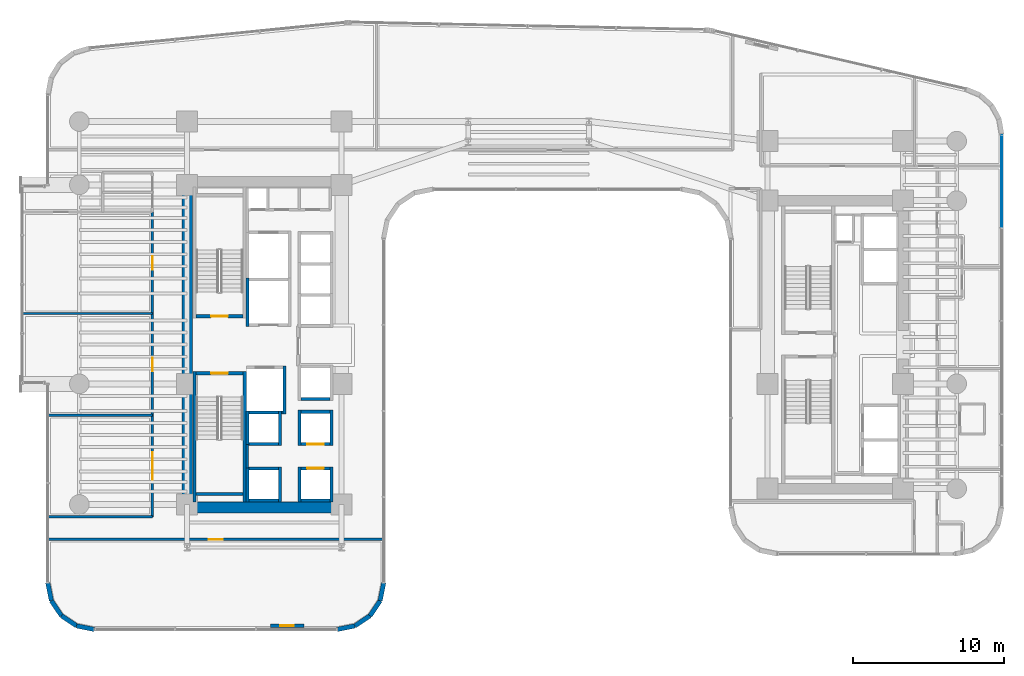
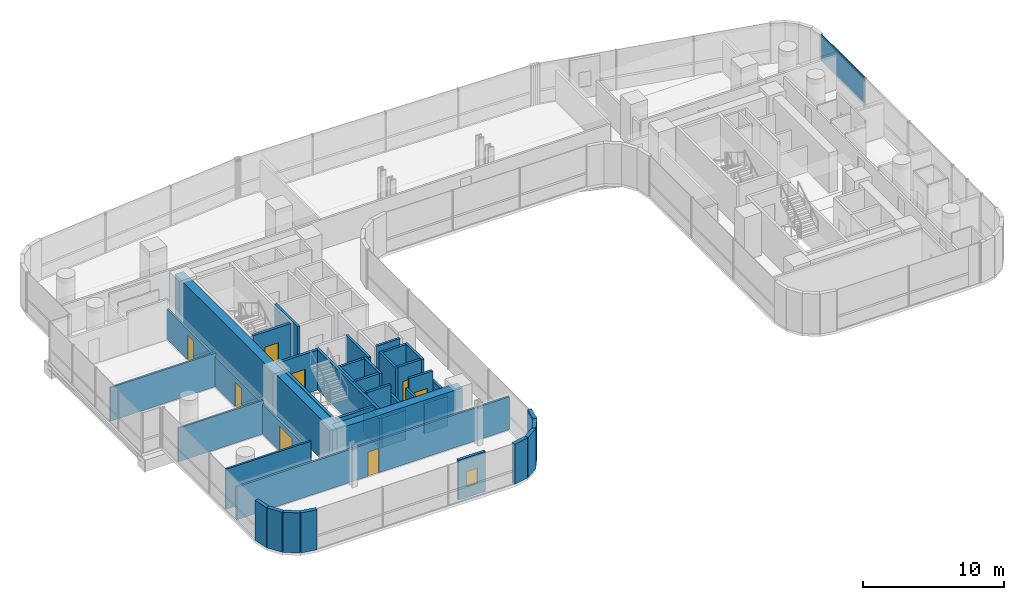
# One storey, part 29 of 39: 41 walls, 8 doors, 1 plate, 1 window, 9 openings, 1 element without a shape of its own.
"""IFC4 building model written with IfcOpenShell, lengths in metres."""

from ifc_helpers import new_model, si_unit, direction, frame, frame_2d, origin, origin_2d, place, context, subcontext, project, spatial, rectangle, extrude, source, transform, mapped, material, layer, layer_set, type_object, element, fill, aggregate, save


model = new_model("IFC4")

# Units and contexts
model_context = context("Model", 3, precision=1e-05, world=origin(), true_north=direction((0.0, 1.0)))
body_context = subcontext(model_context, "Body", "Model", "MODEL_VIEW")
ifc_project = project(units=[si_unit("LENGTHUNIT", "METRE"), si_unit("AREAUNIT", "SQUARE_METRE"), si_unit("VOLUMEUNIT", "CUBIC_METRE"), si_unit("PLANEANGLEUNIT", "RADIAN"), si_unit("MASSUNIT", "GRAM", prefix="KILO")], contexts=[model_context])

# Site, building, storey
site_placement = place(None, origin())
site = spatial("IfcSite", under=ifc_project, at=site_placement, CompositionType="ELEMENT")
building_placement = place(site_placement, origin())
building = spatial("IfcBuilding", under=site, at=building_placement, Name="Valdorenza Pilgrim Sanctuary Tower", CompositionType="ELEMENT")
storey_placement = place(building_placement, frame((0.0, 0.0, 70.39990234375)))
storey = spatial("IfcBuildingStorey", under=building, at=storey_placement, Name="L17", CompositionType="ELEMENT", Elevation=70.39990234375)

# Curtain wall, plate
ifc_material_1 = material(Name="Curtain-wall IGU glazing", Category="glass")
curtain_wall_type = type_object("IfcCurtainWallType", Name="CW-SYS-03", PredefinedType="NOTDEFINED", material=ifc_material_1)
curtain_wall_placement = place(storey_placement, origin())
curtain_wall = element("IfcCurtainWall", 1, at=curtain_wall_placement, inside=storey, type_object=curtain_wall_type, Name="L17 Curtain Wall CW-L17-1-21", PredefinedType="NOTDEFINED")
ifc_material_2 = material(Name="Ceramic-fritted low-E IGU glazing", Category="glass")
ifc_layer_1 = layer(ifc_material_2, 0.035888671875, Name="Ceramic-fritted low-E IGU glazing")
ifc_layer_set_1 = layer_set([ifc_layer_1], Name="Ceramic-fritted low-E IGU glazing")
plate_type = type_object("IfcPlateType", Name="CW-GLZ-IGU", PredefinedType="USERDEFINED", material=ifc_layer_set_1)
shared_shape = source(origin(), body_context, "Body", "SweptSolid", [
    extrude(rectangle(XDim=6.16357421875, YDim=0.050048828125, at=origin_2d()), origin(), (0.0, 0.0, 1.0), 2.320068359375),
])
plate_placement = place(storey_placement, frame((31.389892578125, 10.853271484375, 1.1298828125), z_axis=(0.0, 0.0, 1.0), x_axis=(0.0, -1.0, 0.0)))
plate = element("IfcPlate", 2, at=plate_placement, type_object=plate_type, Name="CW-L17-1-21 Facade Panel 1", ObjectType="GLAZING", PredefinedType="USERDEFINED", context=body_context, shape_type="MappedRepresentation", body=[
    mapped(shared_shape, transform((0.0, 0.0, 0.0), x_axis=(1.0, 0.0, 0.0), y_axis=(0.0, 1.0, 0.0), z_axis=(0.0, 0.0, 1.0), scale=1.0)),
])
aggregate(curtain_wall, [plate])

# Wall
ifc_material_3 = material(Name="Acoustic twin-stud gypsum partition", Category="gypsum")
ifc_layer_2 = layer(ifc_material_3, 0.159912109375, Name="Acoustic twin-stud gypsum partition")
ifc_layer_set_2 = layer_set([ifc_layer_2], Name="Acoustic twin-stud gypsum partition")
wall_type_1 = type_object("IfcWallType", Name="WAL-COR-160", PredefinedType="PARTITIONING", material=ifc_layer_set_2)
wall_1_placement = place(storey_placement, frame((-18.64990234375, -8.179931640625, 0.0), z_axis=(0.0, 0.0, 1.0), x_axis=(0.0, 1.0, 0.0)))
element("IfcWall", 3, at=wall_1_placement, inside=storey, type_object=wall_type_1, Name="L17 Core A South Lift Hall West Wall", PredefinedType="PARTITIONING", context=body_context, shape_type="SweptSolid", body=[
    extrude(rectangle(XDim=1.559814453125, YDim=0.159912109375, at=frame_2d((0.77978515625, 0.0))), origin(), (0.0, 0.0, 1.0), 3.460205078125),
])

# Wall, openings, doors
wall_2_placement = place(storey_placement, frame((-24.949951171875, -11.419921875, 0.0), z_axis=(0.0, 0.0, 1.0), x_axis=(0.0, 1.0, 0.0)))
wall_2 = element("IfcWall", 4, at=wall_2_placement, inside=storey, type_object=wall_type_1, Name="L17 West Wing Corridor Wall", PredefinedType="PARTITIONING", context=body_context, shape_type="SweptSolid", body=[
    extrude(rectangle(XDim=20.219970703125, YDim=0.159912109375, at=frame_2d((10.10986328125, 0.0))), origin(), (0.0, 0.0, 1.0), 2.5830078125),
])
opening_1_placement = place(wall_2_placement, frame((2.469970703125, 0.0, 0.0)))
opening_1 = element("IfcOpeningElement", 5, at=opening_1_placement, cuts=wall_2, Name="Opening DR-HL1", PredefinedType="OPENING", context=body_context, shape_type="SweptSolid", body=[
    extrude(rectangle(XDim=1.800048828125, YDim=2.14990234375, at=frame_2d((0.89990234375, 1.074951171875))), frame((0.0, 0.0947265625, 0.0), z_axis=(0.0, -1.0, 0.0), x_axis=(1.0, 0.0, 0.0)), (0.0, 0.0, 1.0), 0.189697265625),
])
opening_2_placement = place(wall_2_placement, frame((9.659912109375, 0.0, 0.0)))
opening_2 = element("IfcOpeningElement", 6, at=opening_2_placement, cuts=wall_2, Name="Opening DR-RM1", PredefinedType="OPENING", context=body_context, shape_type="SweptSolid", body=[
    extrude(rectangle(XDim=0.89990234375, YDim=2.10009765625, at=frame_2d((0.449951171875, 1.050048828125))), frame((0.0, 0.0947265625, 0.0), z_axis=(0.0, -1.0, 0.0), x_axis=(1.0, 0.0, 0.0)), (0.0, 0.0, 1.0), 0.189697265625),
])
opening_3_placement = place(wall_2_placement, frame((16.39990234375, 0.0, 0.0)))
opening_3 = element("IfcOpeningElement", 7, at=opening_3_placement, cuts=wall_2, Name="Opening DR-RM1", PredefinedType="OPENING", context=body_context, shape_type="SweptSolid", body=[
    extrude(rectangle(XDim=0.89990234375, YDim=2.10009765625, at=frame_2d((0.449951171875, 1.050048828125))), frame((0.0, 0.0947265625, 0.0), z_axis=(0.0, -1.0, 0.0), x_axis=(1.0, 0.0, 0.0)), (0.0, 0.0, 1.0), 0.189697265625),
])
ifc_material_4 = material(Name="Acoustic oak and vision-glass double door", Category="glass")
door_type_1 = type_object("IfcDoorType", Name="DR-HALL-1800", OperationType="NOTDEFINED", PredefinedType="DOOR", material=ifc_material_4)
door_1_placement = place(opening_1_placement, frame((1.800048828125, 0.0, 0.0), z_axis=(0.0, 0.0, 1.0), x_axis=(-1.0, 0.0, 0.0)))
door_1 = element("IfcDoor", 8, at=door_1_placement, inside=storey, type_object=door_type_1, Name="L17 Main Pilgrim Dining Restaurant L17 Door", OperationType="DOUBLE_DOOR_SINGLE_SWING", OverallHeight=2.14990234375, OverallWidth=1.800048828125, PredefinedType="DOOR", context=body_context, shape_type="SweptSolid", body=[
    extrude(rectangle(XDim=1.800048828125, YDim=2.14990234375, at=frame_2d((0.89990234375, 1.074951171875))), frame((0.0, 0.02490234375, 0.0), z_axis=(0.0, -1.0, 0.0), x_axis=(1.0, 0.0, 0.0)), (0.0, 0.0, 1.0), 0.050048828125),
])
fill(opening_1, door_1)
ifc_material_5 = material(Name="Solid-core European oak timber", Category="wood")
door_type_2 = type_object("IfcDoorType", Name="DR-ROOM-900", OperationType="NOTDEFINED", PredefinedType="DOOR", material=ifc_material_5)
door_2_placement = place(opening_2_placement, origin())
door_2 = element("IfcDoor", 9, at=door_2_placement, inside=storey, type_object=door_type_2, Name="L17 Commercial Refectory Kitchen L17 Door", OperationType="SINGLE_SWING_RIGHT", OverallHeight=2.10009765625, OverallWidth=0.89990234375, PredefinedType="DOOR", context=body_context, shape_type="SweptSolid", body=[
    extrude(rectangle(XDim=0.89990234375, YDim=2.10009765625, at=frame_2d((0.449951171875, 1.050048828125))), frame((0.0, 0.02490234375, 0.0), z_axis=(0.0, -1.0, 0.0), x_axis=(1.0, 0.0, 0.0)), (0.0, 0.0, 1.0), 0.050048828125),
])
fill(opening_2, door_2)
door_3_placement = place(opening_3_placement, frame((0.89990234375, 0.0, 0.0), z_axis=(0.0, 0.0, 1.0), x_axis=(-1.0, 0.0, 0.0)))
door_3 = element("IfcDoor", 10, at=door_3_placement, inside=storey, type_object=door_type_2, Name="L17 Private Banquet Dining Room L17 Door", OperationType="SINGLE_SWING_LEFT", OverallHeight=2.10009765625, OverallWidth=0.89990234375, PredefinedType="DOOR", context=body_context, shape_type="SweptSolid", body=[
    extrude(rectangle(XDim=0.89990234375, YDim=2.10009765625, at=frame_2d((0.449951171875, 1.050048828125))), frame((0.0, 0.02490234375, 0.0), z_axis=(0.0, -1.0, 0.0), x_axis=(1.0, 0.0, 0.0)), (0.0, 0.0, 1.0), 0.050048828125),
])
fill(opening_3, door_3)

# Wall, opening, door
wall_3_placement = place(storey_placement, frame((-31.889892578125, -12.919921875, 0.0), z_axis=(0.0, 0.0, 1.0), x_axis=(1.0, 0.0, 0.0)))
wall_3 = element("IfcWall", 11, at=wall_3_placement, inside=storey, type_object=wall_type_1, Name="L17 South Wing Corridor Wall", PredefinedType="PARTITIONING", context=body_context, shape_type="SweptSolid", body=[
    extrude(rectangle(XDim=22.27978515625, YDim=0.159912109375, at=frame_2d((11.139892578125, 0.0))), origin(), (0.0, 0.0, 1.0), 2.833984375),
])
opening_4_placement = place(wall_3_placement, frame((10.68994140625, 0.0, 0.0)))
opening_4 = element("IfcOpeningElement", 12, at=opening_4_placement, cuts=wall_3, Name="Opening DR-RM1", PredefinedType="OPENING", context=body_context, shape_type="SweptSolid", body=[
    extrude(rectangle(XDim=0.89990234375, YDim=2.10009765625, at=frame_2d((0.449951171875, 1.050048828125))), frame((0.0, 0.0947265625, 0.0), z_axis=(0.0, -1.0, 0.0), x_axis=(1.0, 0.0, 0.0)), (0.0, 0.0, 1.0), 0.189697265625),
])
door_4_placement = place(opening_4_placement, origin())
door_4 = element("IfcDoor", 13, at=door_4_placement, inside=storey, type_object=door_type_2, Name="L17 Retreat Discussion Room L17-S1 Door", OperationType="SINGLE_SWING_RIGHT", OverallHeight=2.10009765625, OverallWidth=0.89990234375, PredefinedType="DOOR", context=body_context, shape_type="SweptSolid", body=[
    extrude(rectangle(XDim=0.89990234375, YDim=2.10009765625, at=frame_2d((0.449951171875, 1.050048828125))), frame((0.0, 0.02490234375, 0.0), z_axis=(0.0, -1.0, 0.0), x_axis=(1.0, 0.0, 0.0)), (0.0, 0.0, 1.0), 0.050048828125),
])
fill(opening_4, door_4)

# Walls
wall_4_placement = place(storey_placement, frame((-31.889892578125, -11.419921875, 0.0), z_axis=(0.0, 0.0, 1.0), x_axis=(1.0, 0.0, 0.0)))
element("IfcWall", 14, at=wall_4_placement, inside=storey, type_object=wall_type_1, Name="L17 South-West Corridor North Wall", PredefinedType="PARTITIONING", context=body_context, shape_type="SweptSolid", body=[
    extrude(rectangle(XDim=6.93994140625, YDim=0.159912109375, at=frame_2d((3.469970703125, 0.0))), origin(), (0.0, 0.0, 1.0), 3.460205078125),
])
ifc_material_6 = material(Name="Concrete C60/75", Category="concrete")
ifc_layer_3 = layer(ifc_material_6, 0.699951171875, Name="Concrete C60/75")
ifc_layer_set_3 = layer_set([ifc_layer_3], Name="Concrete C60/75")
wall_type_2 = type_object("IfcWallType", Name="WAL-COR-700", PredefinedType="SHEAR", material=ifc_layer_set_3)
wall_5_placement = place(storey_placement, frame((-22.64990234375, -11.14990234375, 0.0), z_axis=(0.0, 0.0, 1.0), x_axis=(0.0, 1.0, 0.0)))
element("IfcWall", 15, at=wall_5_placement, inside=storey, type_object=wall_type_2, Name="L17 Split Core A Shear Wall W", PredefinedType="SHEAR", context=body_context, shape_type="SweptSolid", body=[
    extrude(rectangle(XDim=22.2998046875, YDim=0.699951171875, at=frame_2d((11.14990234375, 0.0))), origin(), (0.0, 0.0, 1.0), 3.460205078125),
])
wall_6_placement = place(storey_placement, frame((-22.64990234375, -10.800048828125, 0.0), z_axis=(0.0, 0.0, 1.0), x_axis=(1.0, 0.0, 0.0)))
element("IfcWall", 16, at=wall_6_placement, inside=storey, type_object=wall_type_2, Name="L17 Split Core A Shear Wall S", PredefinedType="SHEAR", context=body_context, shape_type="SweptSolid", body=[
    extrude(rectangle(XDim=10.25, YDim=0.699951171875, at=frame_2d((5.125, 0.0))), origin(), (0.0, 0.0, 1.0), 3.460205078125),
])
ifc_material_7 = material(Name="Honed travertine limestone", Category="masonry")
ifc_layer_4 = layer(ifc_material_7, 0.300048828125, Name="Honed travertine limestone")
ifc_layer_set_4 = layer_set([ifc_layer_4], Name="Honed travertine limestone")
wall_type_3 = type_object("IfcWallType", Name="WAL-EXT-300", PredefinedType="SOLIDWALL", material=ifc_layer_set_4)
wall_7_placement = place(storey_placement, frame((-9.610107421875, -15.789306640625, 0.0), z_axis=(0.0, 0.0, 1.0), x_axis=(-0.194996050505, -0.980804027463, 0.0)))
element("IfcWall", 17, at=wall_7_placement, inside=storey, type_object=wall_type_3, Name="L17 Rounded Wind-Corner Stone Pier 42", PredefinedType="SOLIDWALL", context=body_context, shape_type="SweptSolid", body=[
    extrude(rectangle(XDim=1.2158203125, YDim=0.300048828125, at=frame_2d((0.60791015625, 0.0))), origin(), (0.0, 0.0, 1.0), 3.460205078125),
])
for number, where, z_axis, x_axis, name in (
    (18, (-9.84716796875, -16.981689453125, 0.0), (0.0, 0.0, 1.0), (-0.555635100982, -0.831426265255, 0.0), "L17 Rounded Wind-Corner Stone Pier 43"),
    (19, (-10.5166015625, -17.9833984375, 0.0), (0.0, 0.0, 1.0), (-0.831426265255, -0.555635100982, 0.0), "L17 Rounded Wind-Corner Stone Pier 44"),
):
    element("IfcWall", number, at=place(storey_placement, frame(where, z_axis=z_axis, x_axis=x_axis)), inside=storey, type_object=wall_type_3, Name=name, PredefinedType="SOLIDWALL", context=body_context, shape_type="SweptSolid", body=[
        extrude(rectangle(XDim=1.204833984375, YDim=0.300048828125, at=frame_2d((0.6025390625, 0.0))), origin(), (0.0, 0.0, 1.0), 3.460205078125),
    ])
wall_8_placement = place(storey_placement, frame((-11.518310546875, -18.65283203125, 0.0), z_axis=(0.0, 0.0, 1.0), x_axis=(-0.980804027463, -0.194996050505, 0.0)))
element("IfcWall", 20, at=wall_8_placement, inside=storey, type_object=wall_type_3, Name="L17 Rounded Wind-Corner Stone Pier 45", PredefinedType="SOLIDWALL", context=body_context, shape_type="SweptSolid", body=[
    extrude(rectangle(XDim=1.2158203125, YDim=0.300048828125, at=frame_2d((0.60791015625, 0.0))), origin(), (0.0, 0.0, 1.0), 3.460205078125),
])

# Wall, opening, window
wall_9_placement = place(storey_placement, frame((-14.910888671875, -18.64990234375, 0.0), z_axis=(0.0, 0.0, 1.0), x_axis=(-1.0, 0.0, 0.0)))
wall_9 = element("IfcWall", 21, at=wall_9_placement, inside=storey, type_object=wall_type_3, Name="L17 Operable Ventilation Sash Jamb Pier", PredefinedType="SOLIDWALL", context=body_context, shape_type="SweptSolid", body=[
    extrude(rectangle(XDim=2.199951171875, YDim=0.219970703125, at=frame_2d((1.10009765625, 0.0))), origin(), (0.0, 0.0, 1.0), 3.460205078125),
])
opening_5_placement = place(wall_9_placement, frame((0.64990234375, 0.0, 0.949951171875)))
opening_5 = element("IfcOpeningElement", 22, at=opening_5_placement, cuts=wall_9, Name="Opening WN-OP1", PredefinedType="OPENING", context=body_context, shape_type="SweptSolid", body=[
    extrude(rectangle(XDim=0.89990234375, YDim=1.300048828125, at=frame_2d((0.449951171875, 0.64990234375))), frame((0.0, 0.125, 0.0), z_axis=(0.0, -1.0, 0.0), x_axis=(1.0, 0.0, 0.0)), (0.0, 0.0, 1.0), 0.249755859375),
])
window_type = type_object("IfcWindowType", Name="WIN-OPN-900", PartitioningType="SINGLE_PANEL", PredefinedType="WINDOW", material=ifc_material_2)
window_placement = place(opening_5_placement, origin())
window = element("IfcWindow", 23, at=window_placement, inside=storey, type_object=window_type, Name="L17 Parallel-Pop-Out Operable Facade Panel", OverallHeight=1.300048828125, OverallWidth=0.89990234375, PartitioningType="SINGLE_PANEL", PredefinedType="WINDOW", context=body_context, shape_type="SweptSolid", body=[
    extrude(rectangle(XDim=0.89990234375, YDim=1.300048828125, at=frame_2d((0.449951171875, 0.64990234375))), frame((0.0, 0.030029296875, 0.0), z_axis=(0.0, -1.0, 0.0), x_axis=(1.0, 0.0, 0.0)), (0.0, 0.0, 1.0), 0.06005859375),
])
fill(opening_5, window)

# Walls
wall_10_placement = place(storey_placement, frame((-28.789306640625, -18.889892578125, 0.0), z_axis=(0.0, 0.0, 1.0), x_axis=(-0.980804027463, 0.194996050505, 0.0)))
element("IfcWall", 24, at=wall_10_placement, inside=storey, type_object=wall_type_3, Name="L17 Rounded Wind-Corner Stone Pier 47", PredefinedType="SOLIDWALL", context=body_context, shape_type="SweptSolid", body=[
    extrude(rectangle(XDim=1.2158203125, YDim=0.300048828125, at=frame_2d((0.60791015625, 0.0))), origin(), (0.0, 0.0, 1.0), 3.460205078125),
])
for number, where, z_axis, x_axis, name in (
    (25, (-29.981689453125, -18.65283203125, 0.0), (0.0, 0.0, 1.0), (-0.831426265255, 0.555635100982, 0.0), "L17 Rounded Wind-Corner Stone Pier 48"),
    (26, (-30.9833984375, -17.9833984375, 0.0), (0.0, 0.0, 1.0), (-0.555635100982, 0.831426265255, 0.0), "L17 Rounded Wind-Corner Stone Pier 49"),
):
    element("IfcWall", number, at=place(storey_placement, frame(where, z_axis=z_axis, x_axis=x_axis)), inside=storey, type_object=wall_type_3, Name=name, PredefinedType="SOLIDWALL", context=body_context, shape_type="SweptSolid", body=[
        extrude(rectangle(XDim=1.204833984375, YDim=0.300048828125, at=frame_2d((0.6025390625, 0.0))), origin(), (0.0, 0.0, 1.0), 3.460205078125),
    ])
wall_11_placement = place(storey_placement, frame((-31.65283203125, -16.981689453125, 0.0), z_axis=(0.0, 0.0, 1.0), x_axis=(-0.194996050505, 0.980804027463, 0.0)))
element("IfcWall", 27, at=wall_11_placement, inside=storey, type_object=wall_type_3, Name="L17 Rounded Wind-Corner Stone Pier 50", PredefinedType="SOLIDWALL", context=body_context, shape_type="SweptSolid", body=[
    extrude(rectangle(XDim=1.2158203125, YDim=0.300048828125, at=frame_2d((0.60791015625, 0.0))), origin(), (0.0, 0.0, 1.0), 3.460205078125),
])
ifc_material_8 = material(Name="Autoclaved aerated concrete blockwork", Category="masonry")
ifc_layer_5 = layer(ifc_material_8, 0.199951171875, Name="Autoclaved aerated concrete blockwork")
ifc_layer_set_5 = layer_set([ifc_layer_5], Name="Autoclaved aerated concrete blockwork")
wall_type_4 = type_object("IfcWallType", Name="WAL-SHF-200", PredefinedType="MOVABLE", material=ifc_layer_set_5)
wall_12_placement = place(storey_placement, frame((-18.64990234375, 1.199951171875, 0.0), z_axis=(0.0, 0.0, 1.0), x_axis=(0.0, 1.0, 0.0)))
element("IfcWall", 28, at=wall_12_placement, inside=storey, type_object=wall_type_4, Name="L17 Lift FFL-01 Hoistway Wall West", PredefinedType="MOVABLE", context=body_context, shape_type="SweptSolid", body=[
    extrude(rectangle(XDim=3.22509765625, YDim=0.199951171875, at=frame_2d((1.612548828125, 0.0))), origin(), (0.0, 0.0, 1.0), 3.460205078125),
])
wall_13_placement = place(storey_placement, frame((-16.199951171875, -4.60009765625, 0.0), z_axis=(0.0, 0.0, 1.0), x_axis=(0.0, 1.0, 0.0)))
element("IfcWall", 29, at=wall_13_placement, inside=storey, type_object=wall_type_4, Name="L17 Lift FFL-02 Hoistway Wall East", PredefinedType="MOVABLE", context=body_context, shape_type="SweptSolid", body=[
    extrude(rectangle(XDim=3.2001953125, YDim=0.199951171875, at=frame_2d((1.60009765625, 0.0))), origin(), (0.0, 0.0, 1.0), 3.460205078125),
])
wall_14_placement = place(storey_placement, frame((-18.719970703125, -4.5, 0.0), z_axis=(0.0, 0.0, 1.0), x_axis=(1.0, 0.0, 0.0)))
element("IfcWall", 30, at=wall_14_placement, inside=storey, type_object=wall_type_4, Name="L17 Lift FFL-02 Hoistway Wall South", PredefinedType="MOVABLE", context=body_context, shape_type="SweptSolid", body=[
    extrude(rectangle(XDim=2.419921875, YDim=0.199951171875, at=frame_2d((1.2099609375, 0.0))), origin(), (0.0, 0.0, 1.0), 3.460205078125),
])
for number, where, z_axis, x_axis, name in (
    (31, (-15.199951171875, -10.449951171875, 0.0), (0.0, 0.0, 1.0), (0.0, 1.0, 0.0), "L17 Lift PL-01 Hoistway Wall West"),
    (32, (-13.080078125, -10.449951171875, 0.0), (0.0, 0.0, 1.0), (0.0, 1.0, 0.0), "L17 Lift PL-01 Hoistway Wall East"),
):
    element("IfcWall", number, at=place(storey_placement, frame(where, z_axis=z_axis, x_axis=x_axis)), inside=storey, type_object=wall_type_4, Name=name, PredefinedType="MOVABLE", context=body_context, shape_type="SweptSolid", body=[
        extrude(rectangle(XDim=2.349853515625, YDim=0.199951171875, at=frame_2d((1.1748046875, 0.0))), origin(), (0.0, 0.0, 1.0), 2.5830078125),
    ])
wall_15_placement = place(storey_placement, frame((-15.10009765625, -10.35009765625, 0.0), z_axis=(0.0, 0.0, 1.0), x_axis=(1.0, 0.0, 0.0)))
element("IfcWall", 33, at=wall_15_placement, inside=storey, type_object=wall_type_4, Name="L17 Lift PL-01 Hoistway Wall South", PredefinedType="MOVABLE", context=body_context, shape_type="SweptSolid", body=[
    extrude(rectangle(XDim=1.920166015625, YDim=0.199951171875, at=frame_2d((0.9599609375, 0.0))), origin(), (0.0, 0.0, 1.0), 2.5830078125),
])

# Wall, opening, door
wall_16_placement = place(storey_placement, frame((-15.10009765625, -8.199951171875, 0.0), z_axis=(0.0, 0.0, 1.0), x_axis=(1.0, 0.0, 0.0)))
wall_16 = element("IfcWall", 34, at=wall_16_placement, inside=storey, type_object=wall_type_4, Name="L17 Lift PL-01 Hoistway Wall North", PredefinedType="MOVABLE", context=body_context, shape_type="SweptSolid", body=[
    extrude(rectangle(XDim=1.920166015625, YDim=0.199951171875, at=frame_2d((0.9599609375, 0.0))), origin(), (0.0, 0.0, 1.0), 3.460205078125),
])
opening_6_placement = place(wall_16_placement, frame((0.409912109375, 0.0, 0.0)))
opening_6 = element("IfcOpeningElement", 35, at=opening_6_placement, cuts=wall_16, Name="Opening LD-01", PredefinedType="OPENING", context=body_context, shape_type="SweptSolid", body=[
    extrude(rectangle(XDim=1.10009765625, YDim=2.10009765625, at=frame_2d((0.550048828125, 1.050048828125))), frame((0.0, 0.11474609375, 0.0), z_axis=(0.0, -1.0, 0.0), x_axis=(1.0, 0.0, 0.0)), (0.0, 0.0, 1.0), 0.229736328125),
])
ifc_material_9 = material(Name="Brushed stainless steel Grade 316", Category="steel")
door_type_3 = type_object("IfcDoorType", Name="DR-LFT-1100", OperationType="DOUBLE_DOOR_SLIDING", PredefinedType="DOOR", material=ifc_material_9)
door_5_placement = place(opening_6_placement, origin())
door_5 = element("IfcDoor", 36, at=door_5_placement, inside=storey, type_object=door_type_3, Name="L17 Lift PL-01 Sliding Landing Door", OperationType="DOUBLE_DOOR_SLIDING", OverallHeight=2.10009765625, OverallWidth=1.10009765625, PredefinedType="DOOR", context=body_context, shape_type="SweptSolid", body=[
    extrude(rectangle(XDim=1.10009765625, YDim=2.10009765625, at=frame_2d((0.550048828125, 1.050048828125))), frame((0.0, 0.02490234375, 0.0), z_axis=(0.0, -1.0, 0.0), x_axis=(1.0, 0.0, 0.0)), (0.0, 0.0, 1.0), 0.050048828125),
])
fill(opening_6, door_5)

# Walls
for number, where, z_axis, x_axis, name in (
    (37, (-15.199951171875, -6.699951171875, 0.0), (0.0, 0.0, 1.0), (0.0, 1.0, 0.0), "L17 Lift PL-02 Hoistway Wall West"),
    (38, (-13.080078125, -6.699951171875, 0.0), (0.0, 0.0, 1.0), (0.0, 1.0, 0.0), "L17 Lift PL-02 Hoistway Wall East"),
):
    element("IfcWall", number, at=place(storey_placement, frame(where, z_axis=z_axis, x_axis=x_axis)), inside=storey, type_object=wall_type_4, Name=name, PredefinedType="MOVABLE", context=body_context, shape_type="SweptSolid", body=[
        extrude(rectangle(XDim=2.349853515625, YDim=0.199951171875, at=frame_2d((1.1748046875, 0.0))), origin(), (0.0, 0.0, 1.0), 3.460205078125),
    ])

# Wall, opening, door
wall_17_placement = place(storey_placement, frame((-15.10009765625, -6.60009765625, 0.0), z_axis=(0.0, 0.0, 1.0), x_axis=(1.0, 0.0, 0.0)))
wall_17 = element("IfcWall", 39, at=wall_17_placement, inside=storey, type_object=wall_type_4, Name="L17 Lift PL-02 Hoistway Wall South", PredefinedType="MOVABLE", context=body_context, shape_type="SweptSolid", body=[
    extrude(rectangle(XDim=1.920166015625, YDim=0.199951171875, at=frame_2d((0.9599609375, 0.0))), origin(), (0.0, 0.0, 1.0), 3.460205078125),
])
opening_7_placement = place(wall_17_placement, frame((0.409912109375, 0.0, 0.0)))
opening_7 = element("IfcOpeningElement", 40, at=opening_7_placement, cuts=wall_17, Name="Opening LD-01", PredefinedType="OPENING", context=body_context, shape_type="SweptSolid", body=[
    extrude(rectangle(XDim=1.10009765625, YDim=2.10009765625, at=frame_2d((0.550048828125, 1.050048828125))), frame((0.0, 0.11474609375, 0.0), z_axis=(0.0, -1.0, 0.0), x_axis=(1.0, 0.0, 0.0)), (0.0, 0.0, 1.0), 0.229736328125),
])
door_6_placement = place(opening_7_placement, origin())
door_6 = element("IfcDoor", 41, at=door_6_placement, inside=storey, type_object=door_type_3, Name="L17 Lift PL-02 Sliding Landing Door", OperationType="DOUBLE_DOOR_SLIDING", OverallHeight=2.10009765625, OverallWidth=1.10009765625, PredefinedType="DOOR", context=body_context, shape_type="SweptSolid", body=[
    extrude(rectangle(XDim=1.10009765625, YDim=2.10009765625, at=frame_2d((0.550048828125, 1.050048828125))), frame((0.0, 0.02490234375, 0.0), z_axis=(0.0, -1.0, 0.0), x_axis=(1.0, 0.0, 0.0)), (0.0, 0.0, 1.0), 0.050048828125),
])
fill(opening_7, door_6)

# Walls
wall_18_placement = place(storey_placement, frame((-15.10009765625, -4.449951171875, 0.0), z_axis=(0.0, 0.0, 1.0), x_axis=(1.0, 0.0, 0.0)))
element("IfcWall", 42, at=wall_18_placement, inside=storey, type_object=wall_type_4, Name="L17 Lift PL-02 Hoistway Wall North", PredefinedType="MOVABLE", context=body_context, shape_type="SweptSolid", body=[
    extrude(rectangle(XDim=1.920166015625, YDim=0.199951171875, at=frame_2d((0.9599609375, 0.0))), origin(), (0.0, 0.0, 1.0), 3.460205078125),
])
for number, where, z_axis, x_axis, name in (
    (43, (-18.64990234375, -10.449951171875, 0.0), (0.0, 0.0, 1.0), (0.0, 1.0, 0.0), "L17 Lift PL-05 Hoistway Wall West"),
    (44, (-16.5, -10.449951171875, 0.0), (0.0, 0.0, 1.0), (0.0, 1.0, 0.0), "L17 Lift PL-05 Hoistway Wall East"),
):
    element("IfcWall", number, at=place(storey_placement, frame(where, z_axis=z_axis, x_axis=x_axis)), inside=storey, type_object=wall_type_4, Name=name, PredefinedType="MOVABLE", context=body_context, shape_type="SweptSolid", body=[
        extrude(rectangle(XDim=2.349853515625, YDim=0.199951171875, at=frame_2d((1.1748046875, 0.0))), origin(), (0.0, 0.0, 1.0), 2.5830078125),
    ])
wall_19_placement = place(storey_placement, frame((-18.550048828125, -10.35009765625, 0.0), z_axis=(0.0, 0.0, 1.0), x_axis=(1.0, 0.0, 0.0)))
element("IfcWall", 45, at=wall_19_placement, inside=storey, type_object=wall_type_4, Name="L17 Lift PL-05 Hoistway Wall South", PredefinedType="MOVABLE", context=body_context, shape_type="SweptSolid", body=[
    extrude(rectangle(XDim=1.949951171875, YDim=0.199951171875, at=frame_2d((0.97509765625, 0.0))), origin(), (0.0, 0.0, 1.0), 2.5830078125),
])
wall_20_placement = place(storey_placement, frame((-18.550048828125, -8.199951171875, 0.0), z_axis=(0.0, 0.0, 1.0), x_axis=(1.0, 0.0, 0.0)))
element("IfcWall", 46, at=wall_20_placement, inside=storey, type_object=wall_type_4, Name="L17 Lift PL-05 Hoistway Wall North", PredefinedType="MOVABLE", context=body_context, shape_type="SweptSolid", body=[
    extrude(rectangle(XDim=1.949951171875, YDim=0.199951171875, at=frame_2d((0.97509765625, 0.0))), origin(), (0.0, 0.0, 1.0), 3.460205078125),
])
for number, where, z_axis, x_axis, name in (
    (47, (-18.64990234375, -6.699951171875, 0.0), (0.0, 0.0, 1.0), (0.0, 1.0, 0.0), "L17 Lift PL-11 Hoistway Wall West"),
    (48, (-16.5, -6.699951171875, 0.0), (0.0, 0.0, 1.0), (0.0, 1.0, 0.0), "L17 Lift PL-11 Hoistway Wall East"),
):
    element("IfcWall", number, at=place(storey_placement, frame(where, z_axis=z_axis, x_axis=x_axis)), inside=storey, type_object=wall_type_4, Name=name, PredefinedType="MOVABLE", context=body_context, shape_type="SweptSolid", body=[
        extrude(rectangle(XDim=2.300048828125, YDim=0.199951171875, at=frame_2d((1.14990234375, 0.0))), origin(), (0.0, 0.0, 1.0), 3.460205078125),
    ])
wall_21_placement = place(storey_placement, frame((-18.550048828125, -6.60009765625, 0.0), z_axis=(0.0, 0.0, 1.0), x_axis=(1.0, 0.0, 0.0)))
element("IfcWall", 49, at=wall_21_placement, inside=storey, type_object=wall_type_4, Name="L17 Lift PL-11 Hoistway Wall South", PredefinedType="MOVABLE", context=body_context, shape_type="SweptSolid", body=[
    extrude(rectangle(XDim=1.949951171875, YDim=0.199951171875, at=frame_2d((0.97509765625, 0.0))), origin(), (0.0, 0.0, 1.0), 3.460205078125),
])
wall_22_placement = place(storey_placement, frame((-15.10009765625, -3.60009765625, 0.0), z_axis=(0.0, 0.0, 1.0), x_axis=(1.0, 0.0, 0.0)))
element("IfcWall", 50, at=wall_22_placement, inside=storey, type_object=wall_type_4, Name="L17 Lift PL-12 Hoistway Wall South", PredefinedType="MOVABLE", context=body_context, shape_type="SweptSolid", body=[
    extrude(rectangle(XDim=1.920166015625, YDim=0.199951171875, at=frame_2d((0.9599609375, 0.0))), origin(), (0.0, 0.0, 1.0), 3.460205078125),
])

# Wall, opening, door
ifc_material_10 = material(Name="Concrete C40/50", Category="concrete")
ifc_layer_6 = layer(ifc_material_10, 0.219970703125, Name="Concrete C40/50")
ifc_layer_set_6 = layer_set([ifc_layer_6], Name="Concrete C40/50")
wall_type_5 = type_object("IfcWallType", Name="WAL-STR-SHF-220", PredefinedType="SHEAR", material=ifc_layer_set_6)
wall_23_placement = place(storey_placement, frame((-22.050048828125, 1.889892578125, 0.0), z_axis=(0.0, 0.0, 1.0), x_axis=(1.0, 0.0, 0.0)))
wall_23 = element("IfcWall", 51, at=wall_23_placement, inside=storey, type_object=wall_type_5, Name="L17 ST-A1 Structural Stairwell Wall S", PredefinedType="SHEAR", context=body_context, shape_type="SweptSolid", body=[
    extrude(rectangle(XDim=3.110107421875, YDim=0.219970703125, at=frame_2d((1.55517578125, 0.0))), origin(), (0.0, 0.0, 1.0), 3.460205078125),
])
opening_8_placement = place(wall_23_placement, frame((1.0, 0.0, 0.0)))
opening_8 = element("IfcOpeningElement", 52, at=opening_8_placement, cuts=wall_23, Name="Opening DR-ST1", PredefinedType="OPENING", context=body_context, shape_type="SweptSolid", body=[
    extrude(rectangle(XDim=1.10009765625, YDim=2.14990234375, at=frame_2d((0.550048828125, 1.074951171875))), frame((0.0, 0.125, 0.0), z_axis=(0.0, -1.0, 0.0), x_axis=(1.0, 0.0, 0.0)), (0.0, 0.0, 1.0), 0.249755859375),
])
ifc_material_11 = material(Name="Painted galvanized steel", Category="steel")
door_type_4 = type_object("IfcDoorType", Name="DR-STAIR-1100", OperationType="NOTDEFINED", PredefinedType="DOOR", material=ifc_material_11)
door_7_placement = place(opening_8_placement, frame((1.10009765625, 0.0, 0.0), z_axis=(0.0, 0.0, 1.0), x_axis=(-1.0, 0.0, 0.0)))
door_7 = element("IfcDoor", 53, at=door_7_placement, inside=storey, type_object=door_type_4, Name="L17 Exit Stair ST-A1 Door", OperationType="SINGLE_SWING_LEFT", OverallHeight=2.14990234375, OverallWidth=1.10009765625, PredefinedType="DOOR", context=body_context, shape_type="SweptSolid", body=[
    extrude(rectangle(XDim=1.10009765625, YDim=2.14990234375, at=frame_2d((0.550048828125, 1.074951171875))), frame((0.0, 0.02490234375, 0.0), z_axis=(0.0, -1.0, 0.0), x_axis=(1.0, 0.0, 0.0)), (0.0, 0.0, 1.0), 0.050048828125),
])
fill(opening_8, door_7)

# Walls
for number, where, z_axis, x_axis, name in (
    (54, (-22.159912109375, -10.449951171875, 0.0), (0.0, 0.0, 1.0), (0.0, 1.0, 0.0), "L17 ST-A2 Structural Stairwell Wall W"),
    (55, (-18.830078125, -10.449951171875, 0.0), (0.0, 0.0, 1.0), (0.0, 1.0, 0.0), "L17 ST-A2 Structural Stairwell Wall E"),
):
    element("IfcWall", number, at=place(storey_placement, frame(where, z_axis=z_axis, x_axis=x_axis)), inside=storey, type_object=wall_type_5, Name=name, PredefinedType="SHEAR", context=body_context, shape_type="SweptSolid", body=[
        extrude(rectangle(XDim=8.669921875, YDim=0.219970703125, at=frame_2d((4.3349609375, 0.0))), origin(), (0.0, 0.0, 1.0), 3.460205078125),
    ])
wall_24_placement = place(storey_placement, frame((-22.050048828125, -9.909912109375, 0.0), z_axis=(0.0, 0.0, 1.0), x_axis=(1.0, 0.0, 0.0)))
element("IfcWall", 56, at=wall_24_placement, inside=storey, type_object=wall_type_5, Name="L17 ST-A2 Structural Stairwell Wall S", PredefinedType="SHEAR", context=body_context, shape_type="SweptSolid", body=[
    extrude(rectangle(XDim=3.110107421875, YDim=0.219970703125, at=frame_2d((1.55517578125, 0.0))), origin(), (0.0, 0.0, 1.0), 3.460205078125),
])

# Wall, opening, door
wall_25_placement = place(storey_placement, frame((-22.050048828125, -1.889892578125, 0.0), z_axis=(0.0, 0.0, 1.0), x_axis=(1.0, 0.0, 0.0)))
wall_25 = element("IfcWall", 57, at=wall_25_placement, inside=storey, type_object=wall_type_5, Name="L17 ST-A2 Structural Stairwell Wall N", PredefinedType="SHEAR", context=body_context, shape_type="SweptSolid", body=[
    extrude(rectangle(XDim=3.110107421875, YDim=0.219970703125, at=frame_2d((1.55517578125, 0.0))), origin(), (0.0, 0.0, 1.0), 3.460205078125),
])
opening_9_placement = place(wall_25_placement, frame((1.0, 0.0, 0.0)))
opening_9 = element("IfcOpeningElement", 58, at=opening_9_placement, cuts=wall_25, Name="Opening DR-ST1", PredefinedType="OPENING", context=body_context, shape_type="SweptSolid", body=[
    extrude(rectangle(XDim=1.10009765625, YDim=2.14990234375, at=frame_2d((0.550048828125, 1.074951171875))), frame((0.0, 0.125, 0.0), z_axis=(0.0, -1.0, 0.0), x_axis=(1.0, 0.0, 0.0)), (0.0, 0.0, 1.0), 0.249755859375),
])
door_8_placement = place(opening_9_placement, origin())
door_8 = element("IfcDoor", 59, at=door_8_placement, inside=storey, type_object=door_type_4, Name="L17 Exit Stair ST-A2 Door", OperationType="SINGLE_SWING_RIGHT", OverallHeight=2.14990234375, OverallWidth=1.10009765625, PredefinedType="DOOR", context=body_context, shape_type="SweptSolid", body=[
    extrude(rectangle(XDim=1.10009765625, YDim=2.14990234375, at=frame_2d((0.550048828125, 1.074951171875))), frame((0.0, 0.02490234375, 0.0), z_axis=(0.0, -1.0, 0.0), x_axis=(1.0, 0.0, 0.0)), (0.0, 0.0, 1.0), 0.050048828125),
])
fill(opening_9, door_8)

# Walls
ifc_layer_7 = layer(ifc_material_3, 0.14990234375, Name="Acoustic twin-stud gypsum partition")
ifc_layer_set_7 = layer_set([ifc_layer_7], Name="Acoustic twin-stud gypsum partition")
wall_type_6 = type_object("IfcWallType", Name="WAL-UNT-150", PredefinedType="PARTITIONING", material=ifc_layer_set_7)
wall_26_placement = place(storey_placement, frame((-31.889892578125, -4.679931640625, 0.0), z_axis=(0.0, 0.0, 1.0), x_axis=(1.0, 0.0, 0.0)))
element("IfcWall", 60, at=wall_26_placement, inside=storey, type_object=wall_type_6, Name="L17 Commercial Refectory Kitchen L17 Demising Wall", PredefinedType="PARTITIONING", context=body_context, shape_type="SweptSolid", body=[
    extrude(rectangle(XDim=6.93994140625, YDim=0.14990234375, at=frame_2d((3.469970703125, 0.0))), origin(), (0.0, 0.0, 1.0), 2.89599609375),
])
wall_27_placement = place(storey_placement, frame((-33.5400390625, 2.06005859375, 0.0), z_axis=(0.0, 0.0, 1.0), x_axis=(1.0, 0.0, 0.0)))
element("IfcWall", 61, at=wall_27_placement, inside=storey, type_object=wall_type_6, Name="L17 Private Banquet Dining Room L17 Demising Wall", PredefinedType="PARTITIONING", context=body_context, shape_type="SweptSolid", body=[
    extrude(rectangle(XDim=8.590087890625, YDim=0.14990234375, at=frame_2d((4.294921875, 0.0))), origin(), (0.0, 0.0, 1.0), 2.89599609375),
])

save(model, "model.ifc")
